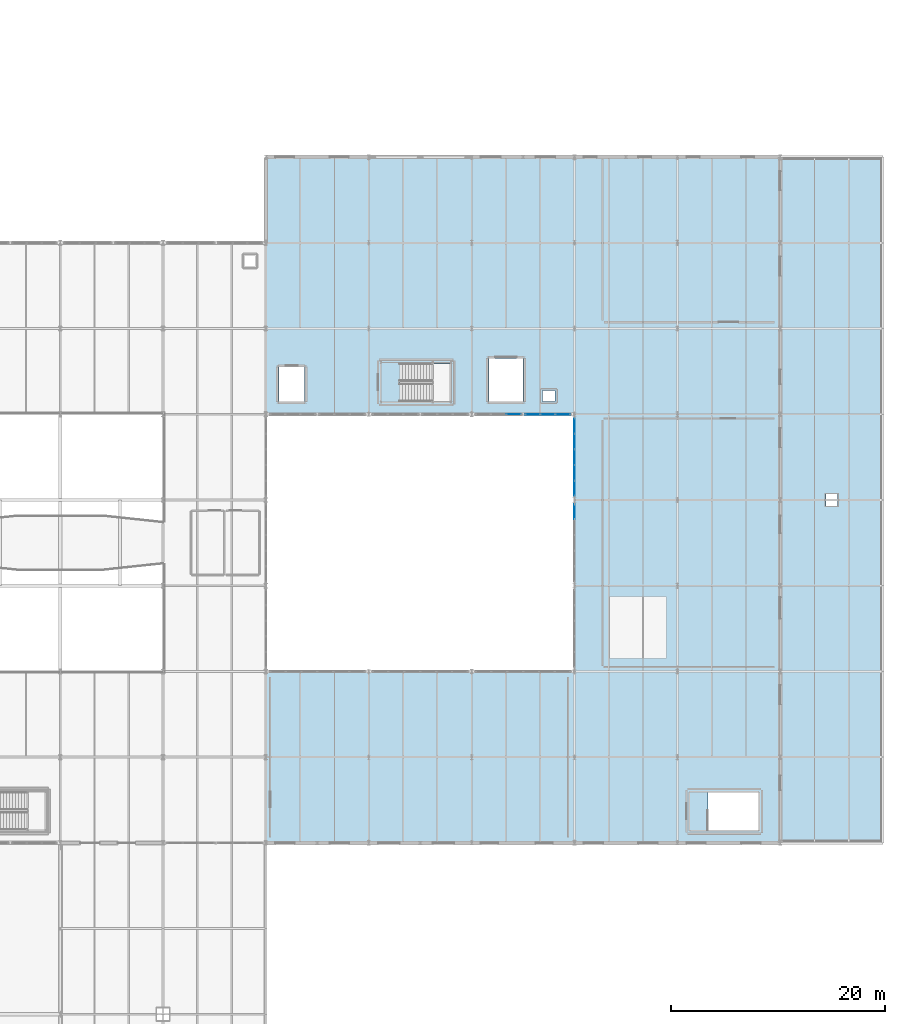
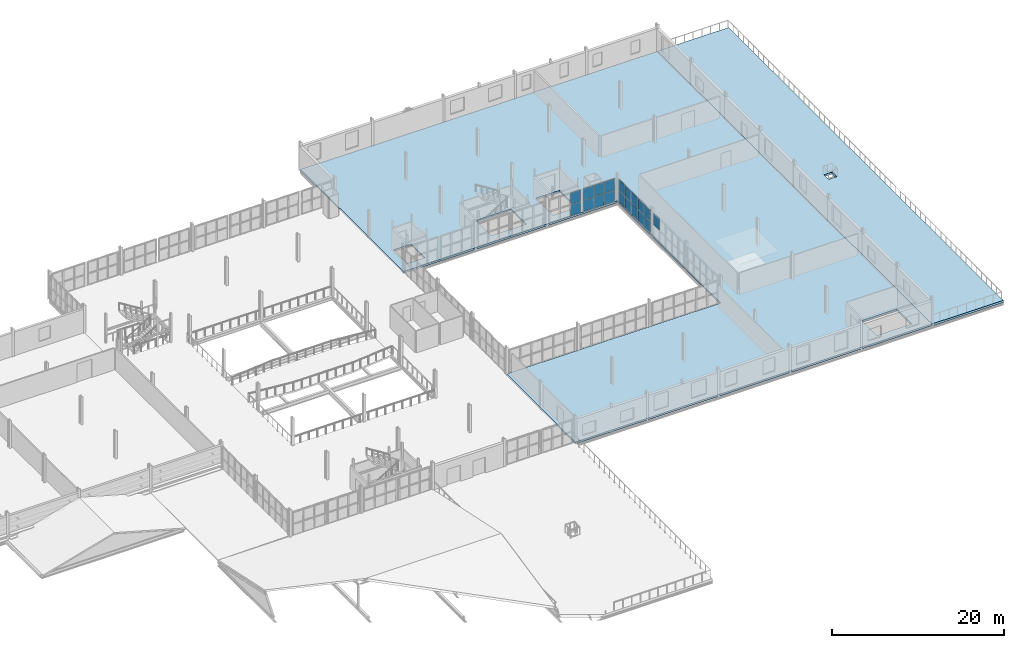
# One storey, part 63 of 85: 19 plates, 2 slabs, 4 elements without a shape of their own.
"""IFC4 building model written with IfcOpenShell, lengths in metres."""

import ifcopenshell
import ifcopenshell.guid

model = None  # the IFC model being written
_history = None  # IfcOwnerHistory: only IFC2X3 demands one
_inside = {}  # id of a spatial element -> (the spatial element, [elements in it])
_under = {}  # id of a project, library or spatial element -> (it, [spatial elements below it])
_declared = {}  # id of a project -> (the project, [libraries it declares])
_typed = {}  # id of a type object -> (the type object, [elements of that type])
_made_of = {}  # id of a material, layer set ... -> (it, [elements and type objects made of it])


def new_model(schema):
    """Start an empty IFC model of exactly this schema.

    Asked for "IFC4X3", IfcOpenShell would pick the latest addendum, in which some entities
    have other attributes; the version numbers below select the first issue.
    IFC2X3 requires an IfcOwnerHistory on every rooted entity: one is made here for all.
    """
    global model, _history
    if schema == "IFC4X3":
        model = ifcopenshell.file(schema_version=(4, 3, 0, 0))
    else:
        model = ifcopenshell.file(schema=schema)
    _inside.clear()
    _under.clear()
    _declared.clear()
    _typed.clear()
    _made_of.clear()
    _history = None
    if model.schema == "IFC2X3":
        org = make("IfcOrganization", Name="unknown")
        user = make(
            "IfcPersonAndOrganization",
            ThePerson=make("IfcPerson", FamilyName="unknown"),
            TheOrganization=org,
        )
        app = make(
            "IfcApplication",
            ApplicationDeveloper=org,
            Version="unknown",
            ApplicationFullName="unknown",
            ApplicationIdentifier="unknown",
        )
        _history = make(
            "IfcOwnerHistory",
            OwningUser=user,
            OwningApplication=app,
            ChangeAction="ADDED",
            CreationDate=0,
        )
    return model


def make(cls, **values):
    """One entity of the class cls with the attributes given. An attribute that is None is left unset."""
    return model.create_entity(
        cls, **{name: value for name, value in values.items() if value is not None}
    )


def rooted(cls, **values):
    """An entity with a GlobalId (a new one), such as an element, a storey or a relation."""
    return make(cls, GlobalId=ifcopenshell.guid.new(), OwnerHistory=_history, **values)


def si_unit(unit_type, name, prefix=None):
    """IfcSIUnit, for example si_unit("LENGTHUNIT", "METRE", prefix="MILLI")."""
    return make("IfcSIUnit", UnitType=unit_type, Prefix=prefix, Name=name)


def assignment(units):
    """IfcUnitAssignment: the units of a project."""
    return None if units is None else make("IfcUnitAssignment", Units=units)


def point(xyz):
    """IfcCartesianPoint."""
    return None if xyz is None else make("IfcCartesianPoint", Coordinates=xyz)


def direction(xyz):
    """IfcDirection."""
    return None if xyz is None else make("IfcDirection", DirectionRatios=xyz)


def frame(location, z_axis=None, x_axis=None):
    """IfcAxis2Placement3D, a coordinate frame: its origin and axes. An axis left out is left unset."""
    return make(
        "IfcAxis2Placement3D",
        Location=point(location),
        Axis=direction(z_axis),
        RefDirection=direction(x_axis),
    )


def frame_2d(location, x_axis=None):
    """IfcAxis2Placement2D, a coordinate frame in the plane: its origin and x axis."""
    return make(
        "IfcAxis2Placement2D", Location=point(location), RefDirection=direction(x_axis)
    )


def origin():
    """The frame at (0, 0, 0) with its axes left unset."""
    return frame((0.0, 0.0, 0.0))


def origin_2d():
    """The frame at (0, 0) in the plane with its x axis left unset."""
    return frame_2d((0.0, 0.0))


def place(relative_to, where):
    """IfcLocalPlacement: puts the frame where relative to a parent placement (None: the world)."""
    return make(
        "IfcLocalPlacement", PlacementRelTo=relative_to, RelativePlacement=where
    )


def context(
    kind, dimensions, precision=None, world=None, true_north=None, identifier=None
):
    """IfcGeometricRepresentationContext, for example the 3D "Model" context."""
    return make(
        "IfcGeometricRepresentationContext",
        ContextIdentifier=identifier,
        ContextType=kind,
        CoordinateSpaceDimension=dimensions,
        Precision=precision,
        WorldCoordinateSystem=world,
        TrueNorth=true_north,
    )


def subcontext(parent, identifier, kind, view, scale=None):
    """IfcGeometricRepresentationSubContext, for example "Body" below "Model"."""
    return make(
        "IfcGeometricRepresentationSubContext",
        ContextIdentifier=identifier,
        ContextType=kind,
        ParentContext=parent,
        TargetScale=scale,
        TargetView=view,
    )


def project(units=None, contexts=None):
    """IfcProject with its units and contexts."""
    return rooted(
        "IfcProject",
        Name="project",
        RepresentationContexts=contexts,
        UnitsInContext=assignment(units),
    )


def spatial(cls, under=None, at=None, **own):
    """A site, building, storey or space (cls), placed at a placement, below another one or the project."""
    s = rooted(cls, ObjectPlacement=at, **own)
    if under is not None:
        _under.setdefault(under.id(), (under, []))[1].append(s)
    return s


def polyline(points):
    """IfcPolyline through the points."""
    return make("IfcPolyline", Points=[point(p) for p in points])


def profile(cls, at=None, kind="AREA", **sizes):
    """A parametric profile (cls). Its sizes go by their IFC names, for example OverallWidth=200.0."""
    return make(cls, ProfileType=kind, Position=at, **sizes)


def rectangle(**sizes):
    """IfcRectangleProfileDef."""
    return profile("IfcRectangleProfileDef", **sizes)


def outline(outer, holes=None, kind="AREA"):
    """IfcArbitraryClosedProfileDef: a profile drawn as a closed curve; with holes, ...WithVoids."""
    if holes is None:
        return make("IfcArbitraryClosedProfileDef", ProfileType=kind, OuterCurve=outer)
    return make(
        "IfcArbitraryProfileDefWithVoids",
        ProfileType=kind,
        OuterCurve=outer,
        InnerCurves=holes,
    )


def extrude(swept, where, along, depth):
    """IfcExtrudedAreaSolid: the profile swept, set in the frame where, extruded along a direction by depth."""
    return make(
        "IfcExtrudedAreaSolid",
        SweptArea=swept,
        Position=where,
        ExtrudedDirection=direction(along),
        Depth=depth,
    )


def shape(context_of_items, identifier, shape_type, items):
    """IfcShapeRepresentation: the items that make up one representation, for example the "Body"."""
    return make(
        "IfcShapeRepresentation",
        ContextOfItems=context_of_items,
        RepresentationIdentifier=identifier,
        RepresentationType=shape_type,
        Items=items,
    )


def material(Name=None, Category=None):
    """IfcMaterial."""
    return make("IfcMaterial", Name=Name, Category=Category)


def layer(
    of_material, thickness, ventilated=None, Name=None, Category=None, Priority=None
):
    """IfcMaterialLayer: one layer of a wall or slab, of a material (None: an air gap)."""
    return make(
        "IfcMaterialLayer",
        Material=of_material,
        LayerThickness=thickness,
        IsVentilated=ventilated,
        Name=Name,
        Category=Category,
        Priority=Priority,
    )


def layer_set(layers, Name=None):
    """IfcMaterialLayerSet."""
    return make("IfcMaterialLayerSet", MaterialLayers=layers, LayerSetName=Name)


def made_of(thing, what):
    """Note that an element or type object is made of a material, layer set ...; save() writes the relation."""
    if what is not None:
        _made_of.setdefault(what.id(), (what, []))[1].append(thing)
    return thing


def type_object(cls, material=None, **own):
    """A type object (cls), such as IfcWallType, which elements share."""
    return made_of(rooted(cls, **own), material)


def element(
    cls,
    number,
    at=None,
    inside=None,
    cuts=None,
    type_object=None,
    material=None,
    context=None,
    identifier="Body",
    shape_type=None,
    held_by="IfcProductDefinitionShape",
    body=None,
    shapes=None,
    **own,
):
    """One element of the class cls, such as IfcWall. Its Tag is "e" and its number.

    at: its placement. inside: the storey or other place that contains it. cuts: it is an
    opening in that element (IfcRelVoidsElement). A single representation is given by context,
    identifier, shape_type and body (its items); several are given by shapes. held_by: the class
    of the entity that holds the representations. save() writes the other relations.
    """
    e = rooted(cls, Tag="e%d" % number, ObjectPlacement=at, **own)
    if body is not None:
        shapes = [shape(context, identifier, shape_type, body)]
    if shapes is not None:
        e.Representation = make(held_by, Representations=shapes)
    if inside is not None:
        _inside.setdefault(inside.id(), (inside, []))[1].append(e)
    if cuts is not None:
        rooted(
            "IfcRelVoidsElement", RelatingBuildingElement=cuts, RelatedOpeningElement=e
        )
    if type_object is not None:
        _typed.setdefault(type_object.id(), (type_object, []))[1].append(e)
    return made_of(e, material)


def aggregate(whole, parts):
    """IfcRelAggregates: a whole, such as a stair, and the parts it consists of."""
    return rooted("IfcRelAggregates", RelatingObject=whole, RelatedObjects=parts)


def save(model, path):
    """Write the relations noted so far, then the file.

    IfcRelAggregates (storeys below a building ...), IfcRelContainedInSpatialStructure (elements
    in a storey), IfcRelDefinesByType, IfcRelAssociatesMaterial and IfcRelDeclares: one each for
    every whole, place, type object, material and project.
    """
    for whole, parts in _under.values():
        aggregate(whole, parts)
    for where, things in _inside.values():
        rooted(
            "IfcRelContainedInSpatialStructure",
            RelatedElements=things,
            RelatingStructure=where,
        )
    for kind, things in _typed.values():
        rooted("IfcRelDefinesByType", RelatedObjects=things, RelatingType=kind)
    for what, things in _made_of.values():
        rooted("IfcRelAssociatesMaterial", RelatedObjects=things, RelatingMaterial=what)
    for by, libraries in _declared.values():
        rooted("IfcRelDeclares", RelatingContext=by, RelatedDefinitions=libraries)
    model.write(path)


model = new_model("IFC4")

# Units and contexts
model_context = context("Model", 3, precision=1e-05, world=origin(), true_north=direction((0.0, 1.0)))
body_context = subcontext(model_context, "Body", "Model", "MODEL_VIEW")
ifc_project = project(units=[si_unit("LENGTHUNIT", "METRE"), si_unit("AREAUNIT", "SQUARE_METRE"), si_unit("VOLUMEUNIT", "CUBIC_METRE"), si_unit("PLANEANGLEUNIT", "RADIAN"), si_unit("MASSUNIT", "GRAM", prefix="KILO")], contexts=[model_context])

# Site, building, storey
site_placement = place(None, origin())
site = spatial("IfcSite", under=ifc_project, at=site_placement, CompositionType="ELEMENT")
building_placement = place(site_placement, origin())
building = spatial("IfcBuilding", under=site, at=building_placement, Name="Alderhovde Museum", CompositionType="ELEMENT")
storey_placement = place(building_placement, frame((0.0, 0.0, 8.699951171875)))
storey = spatial("IfcBuildingStorey", under=building, at=storey_placement, Name="L02", CompositionType="ELEMENT", Elevation=8.699951171875)

# Curtain wall, plates
ifc_material_1 = material(Name="Triple-Glazed Bronze-Anodised Curtain Wall", Category="glass")
ifc_layer_1 = layer(ifc_material_1, 0.179931640625)
ifc_layer_set_1 = layer_set([ifc_layer_1], Name="Triple-Glazed Bronze-Anodised Curtain Wall")
curtain_wall_type_1 = type_object("IfcCurtainWallType", Name="CW-STIC-430x336", PredefinedType="USERDEFINED", material=ifc_layer_set_1)
curtain_wall_1_placement = place(storey_placement, origin())
curtain_wall_1 = element("IfcCurtainWall", 1, at=curtain_wall_1_placement, inside=storey, type_object=curtain_wall_type_1, Name="L02 Stick Curtain Wall 161", ObjectType="STICK CURTAIN WALL", PredefinedType="USERDEFINED")
ifc_material_2 = material(Name="Triple-Glazed Low-E Laminated Glass", Category="glass")
ifc_layer_2 = layer(ifc_material_2, 0.035888671875)
ifc_layer_set_2 = layer_set([ifc_layer_2], Name="Triple-Glazed Low-E Laminated Glass")
plate_type_1 = type_object("IfcPlateType", Name="CWP-GLAZ-36", PredefinedType="CURTAIN_PANEL", material=ifc_layer_set_2)
plate_1_placement = place(storey_placement, frame((138.317138671875, 72.0, 0.06494140625), z_axis=(0.0, 0.0, 1.0), x_axis=(1.0, 0.0, 0.0)))
plate_1 = element("IfcPlate", 2, at=plate_1_placement, type_object=plate_type_1, Name="CW37 panel 3.1", PredefinedType="CURTAIN_PANEL", context=body_context, shape_type="SweptSolid", body=[
    extrude(rectangle(XDim=1.3359375, YDim=0.035888671875, at=origin_2d()), origin(), (0.0, 0.0, 1.0), 1.58251953125),
])
plate_2_placement = place(storey_placement, frame((138.317138671875, 72.0, 1.712646484375), z_axis=(0.0, 0.0, 1.0), x_axis=(1.0, 0.0, 0.0)))
plate_2 = element("IfcPlate", 3, at=plate_2_placement, type_object=plate_type_1, Name="CW37 panel 3.2", PredefinedType="CURTAIN_PANEL", context=body_context, shape_type="SweptSolid", body=[
    extrude(rectangle(XDim=1.3359375, YDim=0.035888671875, at=origin_2d()), origin(), (0.0, 0.0, 1.0), 1.58251953125),
])
aggregate(curtain_wall_1, [plate_1, plate_2])

# Curtain wall, plate
ifc_material_3 = material(Name="Triple-Glazed Bronze-Anodised Curtain Wall", Category="glass")
ifc_layer_3 = layer(ifc_material_3, 0.179931640625)
ifc_layer_set_3 = layer_set([ifc_layer_3], Name="Triple-Glazed Bronze-Anodised Curtain Wall")
curtain_wall_type_2 = type_object("IfcCurtainWallType", Name="CW-STIC-730x336", PredefinedType="USERDEFINED", material=ifc_layer_set_3)
curtain_wall_2_placement = place(storey_placement, origin())
curtain_wall_2 = element("IfcCurtainWall", 4, at=curtain_wall_2_placement, inside=storey, type_object=curtain_wall_type_2, Name="L02 Stick Curtain Wall 165", ObjectType="STICK CURTAIN WALL", PredefinedType="USERDEFINED")
plate_3_placement = place(storey_placement, frame((144.0, 62.90380859375, 1.712646484375), z_axis=(0.0, 0.0, 1.0), x_axis=(0.0, 1.0, 0.0)))
plate_3 = element("IfcPlate", 5, at=plate_3_placement, type_object=plate_type_1, Name="CW12 panel 5.2", PredefinedType="CURTAIN_PANEL", context=body_context, shape_type="SweptSolid", body=[
    extrude(rectangle(XDim=1.362548828125, YDim=0.035888671875, at=origin_2d()), origin(), (0.0, 0.0, 1.0), 1.58251953125),
])
aggregate(curtain_wall_2, [plate_3])

# Curtain wall, plates
curtain_wall_3_placement = place(storey_placement, origin())
curtain_wall_3 = element("IfcCurtainWall", 6, at=curtain_wall_3_placement, inside=storey, type_object=curtain_wall_type_1, Name="L02 Stick Curtain Wall 162", ObjectType="STICK CURTAIN WALL", PredefinedType="USERDEFINED")
ifc_material_4 = material(Name="Triple-Glazed Low-E Laminated Glass", Category="glass")
ifc_layer_4 = layer(ifc_material_4, 0.0439453125)
ifc_layer_set_4 = layer_set([ifc_layer_4], Name="Triple-Glazed Low-E Laminated Glass")
plate_type_2 = type_object("IfcPlateType", Name="CWP-GLAZ-44", PredefinedType="CURTAIN_PANEL", material=ifc_layer_set_4)
plate_4_placement = place(storey_placement, frame((140.0830078125, 72.0, 0.06494140625), z_axis=(0.0, 0.0, 1.0), x_axis=(1.0, 0.0, 0.0)))
plate_4 = element("IfcPlate", 7, at=plate_4_placement, type_object=plate_type_2, Name="CW37 panel 1.1", PredefinedType="CURTAIN_PANEL", context=body_context, shape_type="SweptSolid", body=[
    extrude(rectangle(XDim=1.3359375, YDim=0.0439453125, at=origin_2d()), origin(), (0.0, 0.0, 1.0), 1.58251953125),
])
plate_5_placement = place(storey_placement, frame((140.0830078125, 72.0, 1.712646484375), z_axis=(0.0, 0.0, 1.0), x_axis=(1.0, 0.0, 0.0)))
plate_5 = element("IfcPlate", 8, at=plate_5_placement, type_object=plate_type_2, Name="CW37 panel 1.2", PredefinedType="CURTAIN_PANEL", context=body_context, shape_type="SweptSolid", body=[
    extrude(rectangle(XDim=1.3359375, YDim=0.0439453125, at=origin_2d()), origin(), (0.0, 0.0, 1.0), 1.58251953125),
])
plate_6_placement = place(storey_placement, frame((141.5, 72.0, 0.06494140625), z_axis=(0.0, 0.0, 1.0), x_axis=(1.0, 0.0, 0.0)))
plate_6 = element("IfcPlate", 9, at=plate_6_placement, type_object=plate_type_2, Name="CW37 panel 2.1", PredefinedType="CURTAIN_PANEL", context=body_context, shape_type="SweptSolid", body=[
    extrude(rectangle(XDim=1.368408203125, YDim=0.0439453125, at=origin_2d()), origin(), (0.0, 0.0, 1.0), 1.58251953125),
])
plate_7_placement = place(storey_placement, frame((141.5, 72.0, 1.712646484375), z_axis=(0.0, 0.0, 1.0), x_axis=(1.0, 0.0, 0.0)))
plate_7 = element("IfcPlate", 10, at=plate_7_placement, type_object=plate_type_2, Name="CW37 panel 2.2", PredefinedType="CURTAIN_PANEL", context=body_context, shape_type="SweptSolid", body=[
    extrude(rectangle(XDim=1.368408203125, YDim=0.0439453125, at=origin_2d()), origin(), (0.0, 0.0, 1.0), 1.58251953125),
])
plate_8_placement = place(storey_placement, frame((142.9169921875, 72.0, 0.06494140625), z_axis=(0.0, 0.0, 1.0), x_axis=(1.0, 0.0, 0.0)))
plate_8 = element("IfcPlate", 11, at=plate_8_placement, type_object=plate_type_2, Name="CW37 panel 3.1", PredefinedType="CURTAIN_PANEL", context=body_context, shape_type="SweptSolid", body=[
    extrude(rectangle(XDim=1.3359375, YDim=0.0439453125, at=origin_2d()), origin(), (0.0, 0.0, 1.0), 1.58251953125),
])
plate_9_placement = place(storey_placement, frame((142.9169921875, 72.0, 1.712646484375), z_axis=(0.0, 0.0, 1.0), x_axis=(1.0, 0.0, 0.0)))
plate_9 = element("IfcPlate", 12, at=plate_9_placement, type_object=plate_type_2, Name="CW37 panel 3.2", PredefinedType="CURTAIN_PANEL", context=body_context, shape_type="SweptSolid", body=[
    extrude(rectangle(XDim=1.3359375, YDim=0.0439453125, at=origin_2d()), origin(), (0.0, 0.0, 1.0), 1.58251953125),
])
aggregate(curtain_wall_3, [plate_4, plate_5, plate_6, plate_7, plate_8, plate_9])

curtain_wall_4_placement = place(storey_placement, origin())
curtain_wall_4 = element("IfcCurtainWall", 13, at=curtain_wall_4_placement, inside=storey, type_object=curtain_wall_type_2, Name="L02 Stick Curtain Wall 166", ObjectType="STICK CURTAIN WALL", PredefinedType="USERDEFINED")
plate_10_placement = place(storey_placement, frame((144.0, 65.09619140625, 0.06494140625), z_axis=(0.0, 0.0, 1.0), x_axis=(0.0, 1.0, 0.0)))
plate_10 = element("IfcPlate", 14, at=plate_10_placement, type_object=plate_type_2, Name="CW12 panel 1.1", PredefinedType="CURTAIN_PANEL", context=body_context, shape_type="SweptSolid", body=[
    extrude(rectangle(XDim=1.362548828125, YDim=0.0439453125, at=origin_2d()), origin(), (0.0, 0.0, 1.0), 1.58251953125),
])
plate_11_placement = place(storey_placement, frame((144.0, 65.09619140625, 1.712646484375), z_axis=(0.0, 0.0, 1.0), x_axis=(0.0, 1.0, 0.0)))
plate_11 = element("IfcPlate", 15, at=plate_11_placement, type_object=plate_type_2, Name="CW12 panel 1.2", PredefinedType="CURTAIN_PANEL", context=body_context, shape_type="SweptSolid", body=[
    extrude(rectangle(XDim=1.362548828125, YDim=0.0439453125, at=origin_2d()), origin(), (0.0, 0.0, 1.0), 1.58251953125),
])
plate_12_placement = place(storey_placement, frame((144.0, 66.5400390625, 0.06494140625), z_axis=(0.0, 0.0, 1.0), x_axis=(0.0, 1.0, 0.0)))
plate_12 = element("IfcPlate", 16, at=plate_12_placement, type_object=plate_type_2, Name="CW12 panel 2.1", PredefinedType="CURTAIN_PANEL", context=body_context, shape_type="SweptSolid", body=[
    extrude(rectangle(XDim=1.39501953125, YDim=0.0439453125, at=origin_2d()), origin(), (0.0, 0.0, 1.0), 1.58251953125),
])
plate_13_placement = place(storey_placement, frame((144.0, 66.5400390625, 1.712646484375), z_axis=(0.0, 0.0, 1.0), x_axis=(0.0, 1.0, 0.0)))
plate_13 = element("IfcPlate", 17, at=plate_13_placement, type_object=plate_type_2, Name="CW12 panel 2.2", PredefinedType="CURTAIN_PANEL", context=body_context, shape_type="SweptSolid", body=[
    extrude(rectangle(XDim=1.39501953125, YDim=0.0439453125, at=origin_2d()), origin(), (0.0, 0.0, 1.0), 1.58251953125),
])
plate_14_placement = place(storey_placement, frame((144.0, 68.0, 0.06494140625), z_axis=(0.0, 0.0, 1.0), x_axis=(0.0, 1.0, 0.0)))
plate_14 = element("IfcPlate", 18, at=plate_14_placement, type_object=plate_type_2, Name="CW12 panel 3.1", PredefinedType="CURTAIN_PANEL", context=body_context, shape_type="SweptSolid", body=[
    extrude(rectangle(XDim=1.39501953125, YDim=0.0439453125, at=origin_2d()), origin(), (0.0, 0.0, 1.0), 1.58251953125),
])
plate_15_placement = place(storey_placement, frame((144.0, 68.0, 1.712646484375), z_axis=(0.0, 0.0, 1.0), x_axis=(0.0, 1.0, 0.0)))
plate_15 = element("IfcPlate", 19, at=plate_15_placement, type_object=plate_type_2, Name="CW12 panel 3.2", PredefinedType="CURTAIN_PANEL", context=body_context, shape_type="SweptSolid", body=[
    extrude(rectangle(XDim=1.39501953125, YDim=0.0439453125, at=origin_2d()), origin(), (0.0, 0.0, 1.0), 1.58251953125),
])
plate_16_placement = place(storey_placement, frame((144.0, 69.4599609375, 0.06494140625), z_axis=(0.0, 0.0, 1.0), x_axis=(0.0, 1.0, 0.0)))
plate_16 = element("IfcPlate", 20, at=plate_16_placement, type_object=plate_type_2, Name="CW12 panel 4.1", PredefinedType="CURTAIN_PANEL", context=body_context, shape_type="SweptSolid", body=[
    extrude(rectangle(XDim=1.39501953125, YDim=0.0439453125, at=origin_2d()), origin(), (0.0, 0.0, 1.0), 1.58251953125),
])
plate_17_placement = place(storey_placement, frame((144.0, 69.4599609375, 1.712646484375), z_axis=(0.0, 0.0, 1.0), x_axis=(0.0, 1.0, 0.0)))
plate_17 = element("IfcPlate", 21, at=plate_17_placement, type_object=plate_type_2, Name="CW12 panel 4.2", PredefinedType="CURTAIN_PANEL", context=body_context, shape_type="SweptSolid", body=[
    extrude(rectangle(XDim=1.39501953125, YDim=0.0439453125, at=origin_2d()), origin(), (0.0, 0.0, 1.0), 1.58251953125),
])
plate_18_placement = place(storey_placement, frame((144.0, 70.90380859375, 0.06494140625), z_axis=(0.0, 0.0, 1.0), x_axis=(0.0, 1.0, 0.0)))
plate_18 = element("IfcPlate", 22, at=plate_18_placement, type_object=plate_type_2, Name="CW12 panel 5.1", PredefinedType="CURTAIN_PANEL", context=body_context, shape_type="SweptSolid", body=[
    extrude(rectangle(XDim=1.362548828125, YDim=0.0439453125, at=origin_2d()), origin(), (0.0, 0.0, 1.0), 1.58251953125),
])
plate_19_placement = place(storey_placement, frame((144.0, 70.90380859375, 1.712646484375), z_axis=(0.0, 0.0, 1.0), x_axis=(0.0, 1.0, 0.0)))
plate_19 = element("IfcPlate", 23, at=plate_19_placement, type_object=plate_type_2, Name="CW12 panel 5.2", PredefinedType="CURTAIN_PANEL", context=body_context, shape_type="SweptSolid", body=[
    extrude(rectangle(XDim=1.362548828125, YDim=0.0439453125, at=origin_2d()), origin(), (0.0, 0.0, 1.0), 1.58251953125),
])
aggregate(curtain_wall_4, [plate_10, plate_11, plate_12, plate_13, plate_14, plate_15, plate_16, plate_17, plate_18, plate_19])

# Slabs
ifc_material_5 = material(Name="Concrete C35/45", Category="concrete")
ifc_layer_5 = layer(ifc_material_5, 0.260009765625)
ifc_layer_set_5 = layer_set([ifc_layer_5], Name="Concrete C35/45")
slab_type_1 = type_object("IfcSlabType", Name="SLB-FLR-260", PredefinedType="FLOOR", material=ifc_layer_set_5)
slab_1_placement = place(storey_placement, frame((0.0, 0.0, -0.260009765625)))
element("IfcSlab", 24, at=slab_1_placement, inside=storey, type_object=slab_type_1, Name="L02 VOL5 Structural Slab", PredefinedType="FLOOR", context=body_context, shape_type="SweptSolid", body=[
    extrude(outline(polyline([(115.199951171875, 32.0), (163.199951171875, 32.0), (163.199951171875, 96.0), (115.199951171875, 96.0), (115.199951171875, 72.0), (144.0, 72.0), (144.0, 48.0), (115.199951171875, 48.0), (115.199951171875, 32.0)]), holes=[polyline([(127.7099609375, 73.199951171875), (132.43994140625, 73.199951171875), (132.43994140625, 76.760009765625), (127.7099609375, 76.760009765625), (127.7099609375, 73.199951171875)]), polyline([(156.469970703125, 33.199951171875), (161.159912109375, 33.199951171875), (161.159912109375, 36.679931640625), (156.469970703125, 36.679931640625), (156.469970703125, 33.199951171875)]), polyline([(116.39990234375, 73.199951171875), (118.800048828125, 73.199951171875), (118.800048828125, 76.39990234375), (116.39990234375, 76.39990234375), (116.39990234375, 73.199951171875)]), polyline([(136.0, 73.199951171875), (139.199951171875, 73.199951171875), (139.199951171875, 77.199951171875), (136.0, 77.199951171875), (136.0, 73.199951171875)]), polyline([(141.0, 73.199951171875), (142.199951171875, 73.199951171875), (142.199951171875, 74.199951171875), (141.0, 74.199951171875), (141.0, 73.199951171875)])]), origin(), (0.0, 0.0, 1.0), 0.260009765625),
])
ifc_material_6 = material(Name="Concrete C40/50", Category="concrete")
ifc_layer_6 = layer(ifc_material_6, 0.300048828125)
ifc_layer_set_6 = layer_set([ifc_layer_6], Name="Concrete C40/50")
slab_type_2 = type_object("IfcSlabType", Name="SLB-TERR-300", PredefinedType="FLOOR", material=ifc_layer_set_6)
slab_2_placement = place(storey_placement, frame((0.0, 0.0, -0.300048828125)))
element("IfcSlab", 25, at=slab_2_placement, inside=storey, type_object=slab_type_2, Name="L02 East Hillside Terrace", PredefinedType="FLOOR", context=body_context, shape_type="SweptSolid", body=[
    extrude(outline(polyline([(163.199951171875, 32.0), (172.800048828125, 32.0), (172.800048828125, 96.0), (163.199951171875, 96.0), (163.199951171875, 32.0)]), holes=[polyline([(167.449951171875, 63.449951171875), (168.550048828125, 63.449951171875), (168.550048828125, 64.550048828125), (167.449951171875, 64.550048828125), (167.449951171875, 63.449951171875)])]), origin(), (0.0, 0.0, 1.0), 0.300048828125),
])

save(model, "model.ifc")
